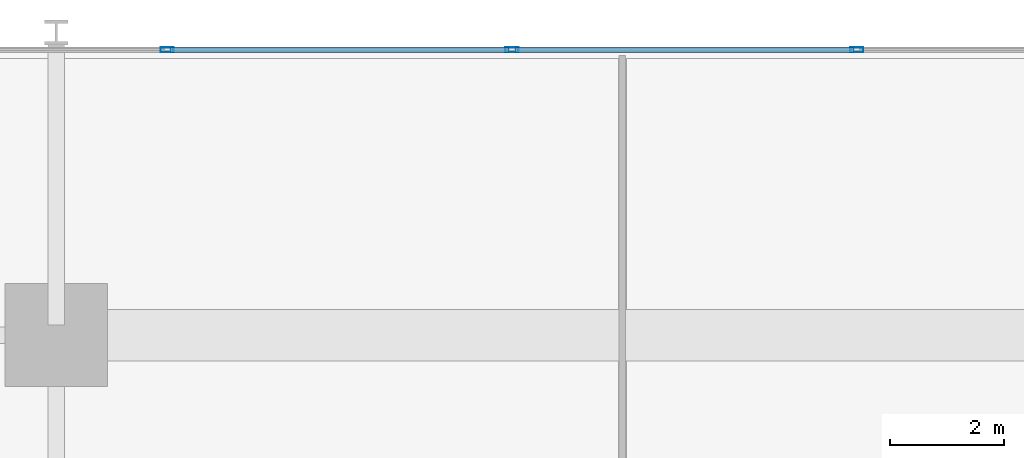
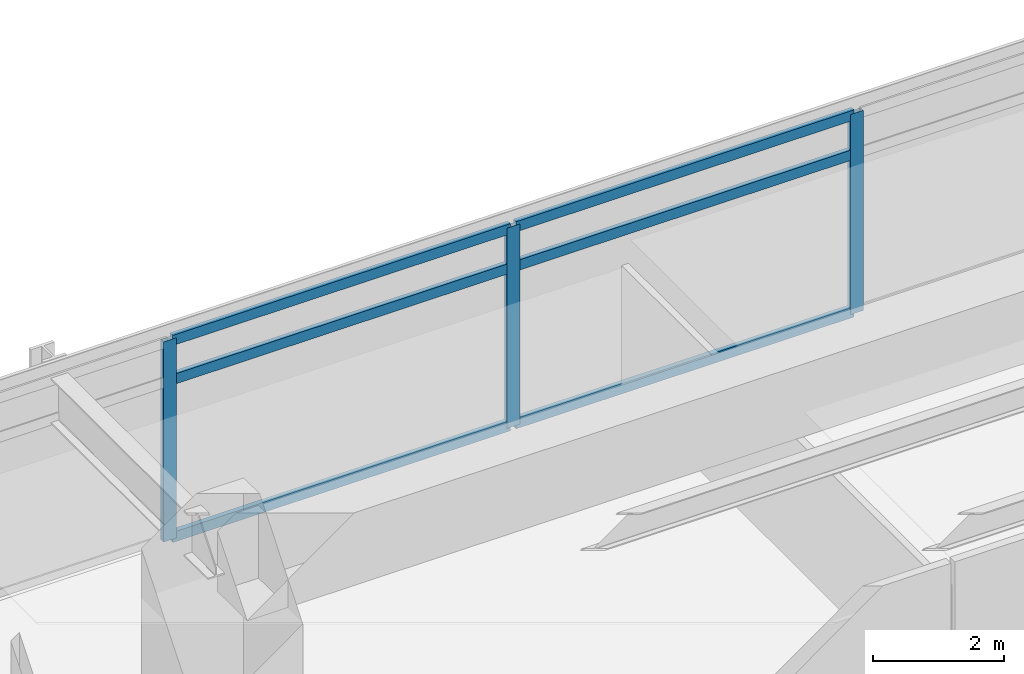
# One storey, part 10 of 21: 9 members, 1 element without a shape of its own.
"""IFC4 building model written with IfcOpenShell, lengths in metres."""

from ifc_helpers import new_model, si_unit, direction, frame, origin, origin_2d, place, context, subcontext, project, spatial, hollow_rectangle, extrude, material, material_profile, profile_set, type_object, element, aggregate, save


model = new_model("IFC4")

# Units and contexts
model_context = context("Model", 3, precision=1e-05, world=origin(), true_north=direction((0.0, 1.0)))
body_context = subcontext(model_context, "Body", "Model", "MODEL_VIEW")
ifc_project = project(units=[si_unit("LENGTHUNIT", "METRE"), si_unit("AREAUNIT", "SQUARE_METRE"), si_unit("VOLUMEUNIT", "CUBIC_METRE"), si_unit("PLANEANGLEUNIT", "RADIAN"), si_unit("MASSUNIT", "GRAM", prefix="KILO")], contexts=[model_context])

# Site, building, storey
site_placement = place(None, origin())
site = spatial("IfcSite", under=ifc_project, at=site_placement, CompositionType="ELEMENT")
building_placement = place(site_placement, origin())
building = spatial("IfcBuilding", under=site, at=building_placement, Name="Kovane Verandah Tower", CompositionType="ELEMENT")
storey_placement = place(building_placement, frame((0.0, 0.0, 31.60009765625)))
storey = spatial("IfcBuildingStorey", under=building, at=storey_placement, Name="L06", CompositionType="ELEMENT", Elevation=31.60009765625)

# Curtain wall, members
ifc_material_1 = material(Name="Champagne Anodised Aluminium Frame with Low-E Clear Laminated Glass", Category="aluminium")
curtain_wall_type = type_object("IfcCurtainWallType", Name="CW-SYS-02-LOW", PredefinedType="NOTDEFINED", material=ifc_material_1)
curtain_wall_placement = place(storey_placement, origin())
curtain_wall = element("IfcCurtainWall", 1, at=curtain_wall_placement, inside=storey, type_object=curtain_wall_type, Name="L06 N Unitised Curtain Wall", PredefinedType="NOTDEFINED")
ifc_material_2 = material(Name="Champagne Anodised Aluminium 6063-T6", Category="aluminium")
ifc_material_profile_1 = material_profile(ifc_material_2, hollow_rectangle(XDim=0.0849609375, YDim=0.22998046875, WallThickness=0.00390625, at=origin_2d()), Name="AL85x230x4")
ifc_profile_set_1 = profile_set([ifc_material_profile_1], Name="Champagne Anodised Aluminium 6063-T6")
member_type_1 = type_object("IfcMemberType", Name="CW-MUL-85x230", PredefinedType="MULLION", material=ifc_profile_set_1)
member_1_placement = place(storey_placement, frame((43.019287109375, 49.195068359375, 0.02001953125), z_axis=(0.0, 0.0, 1.0), x_axis=(0.0, 1.0, 0.0)))
member_1 = element("IfcMember", 2, at=member_1_placement, type_object=member_type_1, Name="L06 N Unitised Curtain Wall Mullion 4", PredefinedType="MULLION", context=body_context, shape_type="SweptSolid", body=[
    extrude(hollow_rectangle(XDim=0.0849609375, YDim=0.22998046875, WallThickness=0.00390625, at=origin_2d()), origin(), (0.0, 0.0, 1.0), 3.719970703125),
])
member_2_placement = place(storey_placement, frame((36.980712890625, 49.195068359375, 0.02001953125), z_axis=(0.0, 0.0, 1.0), x_axis=(0.0, 1.0, 0.0)))
member_2 = element("IfcMember", 3, at=member_2_placement, type_object=member_type_1, Name="L06 N Unitised Curtain Wall Mullion 5", PredefinedType="MULLION", context=body_context, shape_type="SweptSolid", body=[
    extrude(hollow_rectangle(XDim=0.0849609375, YDim=0.22998046875, WallThickness=0.00390625, at=origin_2d()), origin(), (0.0, 0.0, 1.0), 3.719970703125),
])
member_3_placement = place(storey_placement, frame((30.94189453125, 49.195068359375, 0.02001953125), z_axis=(0.0, 0.0, 1.0), x_axis=(0.0, 1.0, 0.0)))
member_3 = element("IfcMember", 4, at=member_3_placement, type_object=member_type_1, Name="L06 N Unitised Curtain Wall Mullion 6", PredefinedType="MULLION", context=body_context, shape_type="SweptSolid", body=[
    extrude(hollow_rectangle(XDim=0.0849609375, YDim=0.22998046875, WallThickness=0.00390625, at=origin_2d()), origin(), (0.0, 0.0, 1.0), 3.719970703125),
])
ifc_material_profile_2 = material_profile(ifc_material_2, hollow_rectangle(XDim=0.0849609375, YDim=0.18994140625, WallThickness=0.00390625, at=origin_2d()), Name="AL85x190x4")
ifc_profile_set_2 = profile_set([ifc_material_profile_2], Name="Champagne Anodised Aluminium 6063-T6")
member_type_2 = type_object("IfcMemberType", Name="CW-TRN-85x190", PredefinedType="USERDEFINED", material=ifc_profile_set_2)
member_4_placement = place(storey_placement, frame((42.969482421875, 49.195068359375, 0.0498046875), z_axis=(-1.0, 0.0, 0.0), x_axis=(0.0, -1.0, 0.0)))
member_4 = element("IfcMember", 5, at=member_4_placement, type_object=member_type_2, Name="L06 N Unitised Curtain Wall Transom TB Bay 4", ObjectType="TRANSOM", PredefinedType="USERDEFINED", context=body_context, shape_type="SweptSolid", body=[
    extrude(hollow_rectangle(XDim=0.0849609375, YDim=0.18994140625, WallThickness=0.00390625, at=origin_2d()), origin(), (0.0, 0.0, 1.0), 5.93896484375),
])
member_5_placement = place(storey_placement, frame((42.969482421875, 49.195068359375, 2.97998046875), z_axis=(-1.0, 0.0, 0.0), x_axis=(0.0, -1.0, 0.0)))
member_5 = element("IfcMember", 6, at=member_5_placement, type_object=member_type_2, Name="L06 N Unitised Curtain Wall Transom TM Bay 4", ObjectType="TRANSOM", PredefinedType="USERDEFINED", context=body_context, shape_type="SweptSolid", body=[
    extrude(hollow_rectangle(XDim=0.0849609375, YDim=0.18994140625, WallThickness=0.00390625, at=origin_2d()), origin(), (0.0, 0.0, 1.0), 5.93896484375),
])
member_6_placement = place(storey_placement, frame((42.969482421875, 49.195068359375, 3.7099609375), z_axis=(-1.0, 0.0, 0.0), x_axis=(0.0, -1.0, 0.0)))
member_6 = element("IfcMember", 7, at=member_6_placement, type_object=member_type_2, Name="L06 N Unitised Curtain Wall Transom TT Bay 4", ObjectType="TRANSOM", PredefinedType="USERDEFINED", context=body_context, shape_type="SweptSolid", body=[
    extrude(hollow_rectangle(XDim=0.0849609375, YDim=0.18994140625, WallThickness=0.00390625, at=origin_2d()), origin(), (0.0, 0.0, 1.0), 5.93896484375),
])
member_7_placement = place(storey_placement, frame((36.9306640625, 49.195068359375, 0.0498046875), z_axis=(-1.0, 0.0, 0.0), x_axis=(0.0, -1.0, 0.0)))
member_7 = element("IfcMember", 8, at=member_7_placement, type_object=member_type_2, Name="L06 N Unitised Curtain Wall Transom TB Bay 5", ObjectType="TRANSOM", PredefinedType="USERDEFINED", context=body_context, shape_type="SweptSolid", body=[
    extrude(hollow_rectangle(XDim=0.0849609375, YDim=0.18994140625, WallThickness=0.00390625, at=origin_2d()), origin(), (0.0, 0.0, 1.0), 5.93896484375),
])
member_8_placement = place(storey_placement, frame((36.9306640625, 49.195068359375, 2.97998046875), z_axis=(-1.0, 0.0, 0.0), x_axis=(0.0, -1.0, 0.0)))
member_8 = element("IfcMember", 9, at=member_8_placement, type_object=member_type_2, Name="L06 N Unitised Curtain Wall Transom TM Bay 5", ObjectType="TRANSOM", PredefinedType="USERDEFINED", context=body_context, shape_type="SweptSolid", body=[
    extrude(hollow_rectangle(XDim=0.0849609375, YDim=0.18994140625, WallThickness=0.00390625, at=origin_2d()), origin(), (0.0, 0.0, 1.0), 5.93896484375),
])
member_9_placement = place(storey_placement, frame((36.9306640625, 49.195068359375, 3.7099609375), z_axis=(-1.0, 0.0, 0.0), x_axis=(0.0, -1.0, 0.0)))
member_9 = element("IfcMember", 10, at=member_9_placement, type_object=member_type_2, Name="L06 N Unitised Curtain Wall Transom TT Bay 5", ObjectType="TRANSOM", PredefinedType="USERDEFINED", context=body_context, shape_type="SweptSolid", body=[
    extrude(hollow_rectangle(XDim=0.0849609375, YDim=0.18994140625, WallThickness=0.00390625, at=origin_2d()), origin(), (0.0, 0.0, 1.0), 5.93896484375),
])
aggregate(curtain_wall, [member_1, member_2, member_3, member_4, member_5, member_6, member_7, member_8, member_9])

save(model, "model.ifc")
